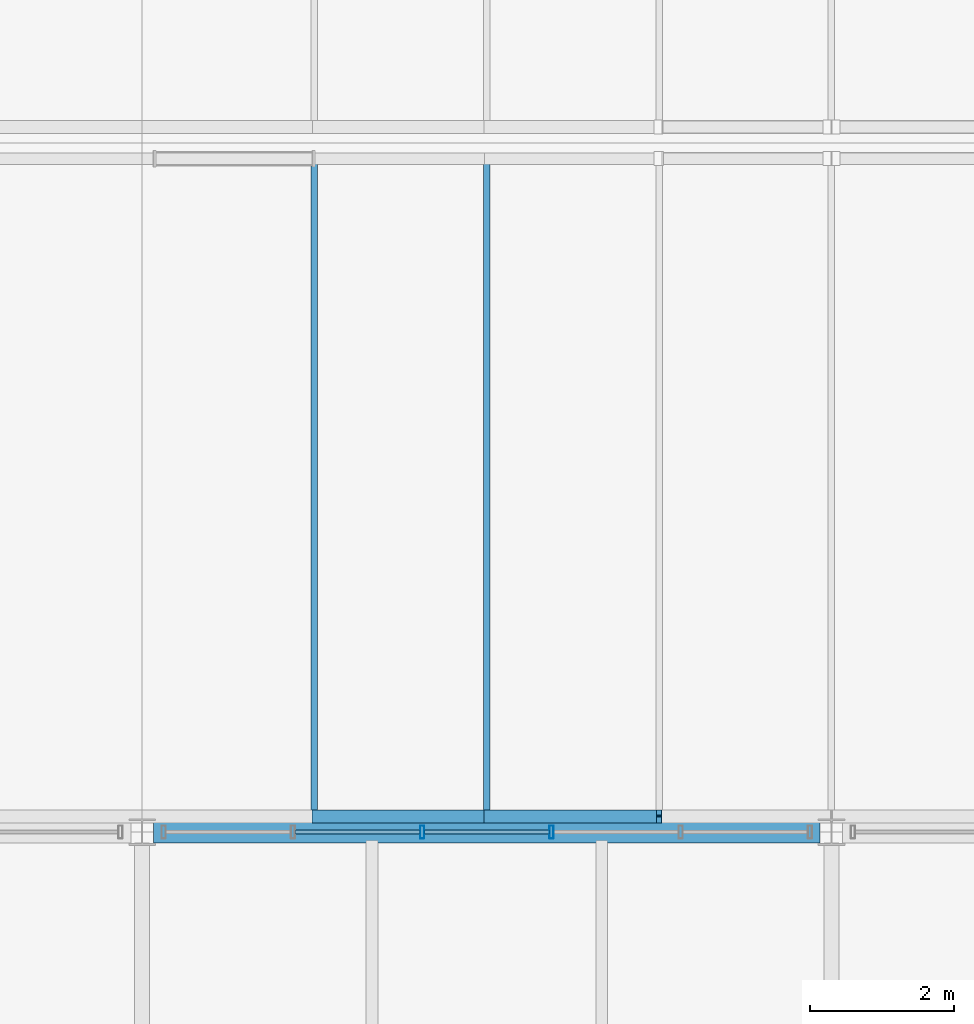
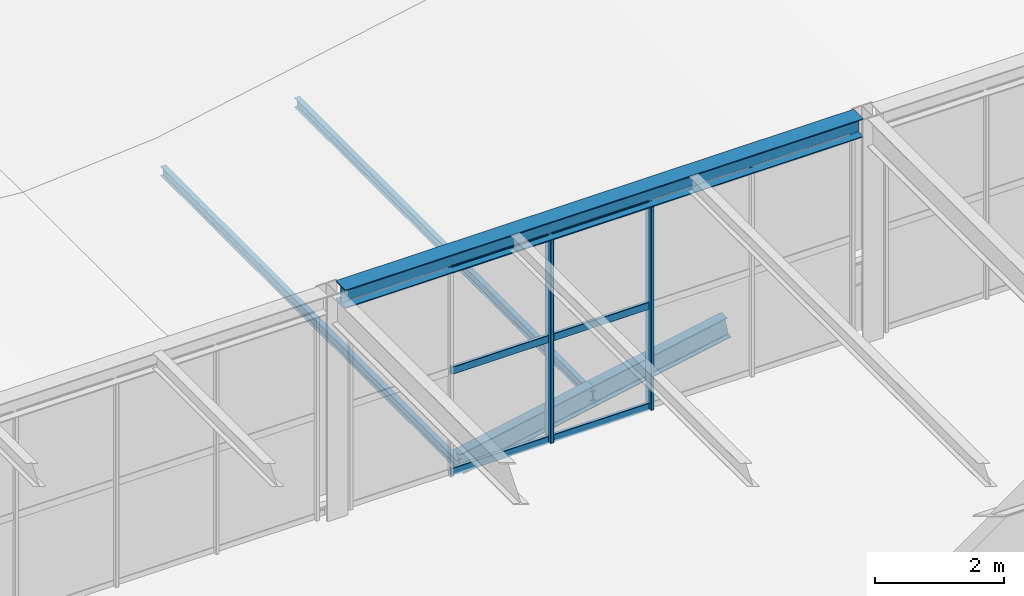
# One storey, part 92 of 170: 10 members, 3 beams, 1 element without a shape of its own.
"""IFC4 building model written with IfcOpenShell, lengths in metres."""

from ifc_helpers import new_model, si_unit, direction, frame, origin, origin_2d, place, context, subcontext, project, spatial, hollow_rectangle, i_section, extrude, material, material_profile, profile_set, type_object, element, aggregate, save


model = new_model("IFC4")

# Units and contexts
model_context = context("Model", 3, precision=1e-05, world=origin(), true_north=direction((0.0, 1.0)))
body_context = subcontext(model_context, "Body", "Model", "MODEL_VIEW")
ifc_project = project(units=[si_unit("LENGTHUNIT", "METRE"), si_unit("AREAUNIT", "SQUARE_METRE"), si_unit("VOLUMEUNIT", "CUBIC_METRE"), si_unit("PLANEANGLEUNIT", "RADIAN"), si_unit("MASSUNIT", "GRAM", prefix="KILO")], contexts=[model_context])

# Site, building, storey
site_placement = place(None, origin())
site = spatial("IfcSite", under=ifc_project, at=site_placement, CompositionType="ELEMENT")
building_placement = place(site_placement, origin())
building = spatial("IfcBuilding", under=site, at=building_placement, Name="Coralgate Yard Interchange", CompositionType="ELEMENT")
storey_placement = place(building_placement, frame((0.0, 0.0, 6.0)))
storey = spatial("IfcBuildingStorey", under=building, at=storey_placement, Name="L01", CompositionType="ELEMENT", Elevation=6.0)

# Beams
ifc_material_1 = material(Name="Structural steel S355J2", Category="steel")
ifc_material_profile_1 = material_profile(ifc_material_1, i_section(OverallWidth=0.300048828125, OverallDepth=0.35009765625, WebThickness=0.010009765625, FlangeThickness=0.017578125, FilletRadius=0.027099609375, at=origin_2d()), Name="HEA 360")
ifc_profile_set_1 = profile_set([ifc_material_profile_1], Name="Structural steel S355J2")
beam_type_1 = type_object("IfcBeamType", Name="BM-SP-1", PredefinedType="SPANDREL", material=ifc_profile_set_1)
beam_1_placement = place(storey_placement, frame((57.75634765625, 96.0, 4.074951171875), z_axis=(1.0, 0.0, 0.0), x_axis=(0.0, 1.0, 0.0)))
element("IfcBeam", 1, at=beam_1_placement, inside=storey, type_object=beam_type_1, Name="L01 primary grid beam Y10 X6-7", PredefinedType="SPANDREL", context=body_context, shape_type="SweptSolid", body=[
    extrude(i_section(OverallWidth=0.300048828125, OverallDepth=0.35009765625, WebThickness=0.010009765625, FlangeThickness=0.017578125, FilletRadius=0.027099609375, at=origin_2d()), origin(), (0.0, 0.0, 1.0), 9.287353515625),
])
ifc_material_2 = material(Name="Off-white architectural structural steel S355J2", Category="steel")
ifc_material_profile_2 = material_profile(ifc_material_2, i_section(OverallWidth=0.179931640625, OverallDepth=0.39990234375, WebThickness=0.008544921875, FlangeThickness=0.013427734375, FilletRadius=0.02099609375, at=origin_2d()), Name="IPE 400")
ifc_profile_set_2 = profile_set([ifc_material_profile_2], Name="Off-white architectural structural steel S355J2")
beam_type_2 = type_object("IfcBeamType", Name="BM-WR-1", PredefinedType="BEAM", material=ifc_profile_set_2)
beam_2_placement = place(storey_placement, frame((60.0, 96.219970703125, -0.009521484375), z_axis=(0.98216147419, 0.0, 0.188039460267), x_axis=(0.0, 1.0, 0.0)))
element("IfcBeam", 2, at=beam_2_placement, inside=storey, type_object=beam_type_2, Name="Wave-shell steel arch rib R1-W2-S2", PredefinedType="BEAM", context=body_context, shape_type="SweptSolid", body=[
    extrude(i_section(OverallWidth=0.179931640625, OverallDepth=0.39990234375, WebThickness=0.008544921875, FlangeThickness=0.013427734375, FilletRadius=0.02099609375, at=origin_2d()), origin(), (0.0, 0.0, 1.0), 2.443603515625),
])
beam_3_placement = place(storey_placement, frame((62.39990234375, 96.219970703125, 0.449951171875), z_axis=(0.982146552954, 0.0, 0.188117379637), x_axis=(0.0, 1.0, 0.0)))
element("IfcBeam", 3, at=beam_3_placement, inside=storey, type_object=beam_type_2, Name="Wave-shell steel arch rib R1-W2-S3", PredefinedType="BEAM", context=body_context, shape_type="SweptSolid", body=[
    extrude(i_section(OverallWidth=0.179931640625, OverallDepth=0.39990234375, WebThickness=0.008544921875, FlangeThickness=0.013427734375, FilletRadius=0.02099609375, at=origin_2d()), origin(), (0.0, 0.0, 1.0), 2.44384765625),
])

# Curtain wall, members
ifc_material_3 = material(Name="Anodised coastal aluminium and solar-control low-E glass", Category="aluminium")
curtain_wall_type = type_object("IfcCurtainWallType", Name="CW-CW-L01-B", PredefinedType="NOTDEFINED", material=ifc_material_3)
curtain_wall_placement = place(storey_placement, origin())
curtain_wall = element("IfcCurtainWall", 4, at=curtain_wall_placement, inside=storey, type_object=curtain_wall_type, Name="L01 unitised curtain wall CW-L01-N-06-09", PredefinedType="NOTDEFINED")
ifc_material_4 = material(Name="Anodised coastal aluminium 6063-T6", Category="aluminium")
ifc_material_profile_3 = material_profile(ifc_material_4, hollow_rectangle(XDim=0.06005859375, YDim=0.179931640625, WallThickness=0.00390625, InnerFilletRadius=0.00390625, OuterFilletRadius=0.008056640625, at=origin_2d()), Name="ALU 60x180x4")
ifc_profile_set_3 = profile_set([ifc_material_profile_3], Name="Anodised coastal aluminium 6063-T6")
member_type_1 = type_object("IfcMemberType", Name="MB-MUL-180", PredefinedType="MULLION", material=ifc_profile_set_3)
member_1_placement = place(storey_placement, frame((61.5, 96.0, 0.0), z_axis=(0.0, 0.0, 1.0), x_axis=(1.0, 0.0, 0.0)))
member_1 = element("IfcMember", 5, at=member_1_placement, type_object=member_type_1, Name="CW-L01-N-06-09 vertical mullion 3", PredefinedType="MULLION", context=body_context, shape_type="SweptSolid", body=[
    extrude(hollow_rectangle(XDim=0.06005859375, YDim=0.179931640625, WallThickness=0.00390625, InnerFilletRadius=0.00390625, OuterFilletRadius=0.008056640625, at=origin_2d()), origin(), (0.0, 0.0, 1.0), 3.89990234375),
])
member_2_placement = place(storey_placement, frame((63.300048828125, 96.0, 0.0), z_axis=(0.0, 0.0, 1.0), x_axis=(1.0, 0.0, 0.0)))
member_2 = element("IfcMember", 6, at=member_2_placement, type_object=member_type_1, Name="CW-L01-N-06-09 vertical mullion 4", PredefinedType="MULLION", context=body_context, shape_type="SweptSolid", body=[
    extrude(hollow_rectangle(XDim=0.06005859375, YDim=0.179931640625, WallThickness=0.00390625, InnerFilletRadius=0.00390625, OuterFilletRadius=0.008056640625, at=origin_2d()), origin(), (0.0, 0.0, 1.0), 3.89990234375),
])

# Members
ifc_material_profile_4 = material_profile(ifc_material_2, i_section(OverallWidth=0.091064453125, OverallDepth=0.179931640625, WebThickness=0.00537109375, FlangeThickness=0.008056640625, FilletRadius=0.009033203125, at=origin_2d()), Name="IPE 180")
ifc_profile_set_4 = profile_set([ifc_material_profile_4], Name="Off-white architectural structural steel S355J2")
member_type_2 = type_object("IfcMemberType", Name="MB-PR-2", PredefinedType="PURLIN", material=ifc_profile_set_4)
for number, where, z_axis, x_axis, name in (
    (7, (60.0, 96.199951171875, -0.049560546875), (0.0, 1.0, 0.0), (-1.0, 0.0, 0.0), "Wave-shell purlin R1-W2-2"),
    (8, (62.39990234375, 96.199951171875, 0.409912109375), (0.0, 1.0, 0.0), (-1.0, 0.0, 0.0), "Wave-shell purlin R1-W2-3"),
):
    element("IfcMember", number, at=place(storey_placement, frame(where, z_axis=z_axis, x_axis=x_axis)), inside=storey, type_object=member_type_2, Name=name, PredefinedType="PURLIN", context=body_context, shape_type="SweptSolid", body=[
        extrude(i_section(OverallWidth=0.091064453125, OverallDepth=0.179931640625, WebThickness=0.00537109375, FlangeThickness=0.008056640625, FilletRadius=0.009033203125, at=origin_2d()), origin(), (0.0, 0.0, 1.0), 9.199951171875),
    ])

# Member
ifc_material_profile_5 = material_profile(ifc_material_4, hollow_rectangle(XDim=0.06005859375, YDim=0.139892578125, WallThickness=0.00341796875, InnerFilletRadius=0.00341796875, OuterFilletRadius=0.007080078125, at=origin_2d()), Name="ALU 60x140x3.5")
ifc_profile_set_5 = profile_set([ifc_material_profile_5], Name="Anodised coastal aluminium 6063-T6")
member_type_3 = type_object("IfcMemberType", Name="MB-TRN-140", PredefinedType="USERDEFINED", material=ifc_profile_set_5)
member_3_placement = place(storey_placement, frame((59.72998046875, 96.0, 0.034912109375), z_axis=(1.0, 0.0, 0.0), x_axis=(0.0, 1.0, 0.0)))
member_3 = element("IfcMember", 9, at=member_3_placement, type_object=member_type_3, Name="CW-L01-N-06-09 horizontal transom 2-1", ObjectType="TRANSOM", PredefinedType="USERDEFINED", context=body_context, shape_type="SweptSolid", body=[
    extrude(hollow_rectangle(XDim=0.06005859375, YDim=0.139892578125, WallThickness=0.00341796875, InnerFilletRadius=0.00341796875, OuterFilletRadius=0.007080078125, at=origin_2d()), origin(), (0.0, 0.0, 1.0), 1.739990234375),
])

member_4_placement = place(storey_placement, frame((59.72998046875, 96.0, 1.949951171875), z_axis=(1.0, 0.0, 0.0), x_axis=(0.0, 1.0, 0.0)))
member_4 = element("IfcMember", 10, at=member_4_placement, type_object=member_type_3, Name="CW-L01-N-06-09 horizontal transom 2-2", ObjectType="TRANSOM", PredefinedType="USERDEFINED", context=body_context, shape_type="SweptSolid", body=[
    extrude(hollow_rectangle(XDim=0.06005859375, YDim=0.139892578125, WallThickness=0.00341796875, InnerFilletRadius=0.00341796875, OuterFilletRadius=0.007080078125, at=origin_2d()), origin(), (0.0, 0.0, 1.0), 1.739990234375),
])

member_5_placement = place(storey_placement, frame((59.72998046875, 96.0, 3.864990234375), z_axis=(1.0, 0.0, 0.0), x_axis=(0.0, 1.0, 0.0)))
member_5 = element("IfcMember", 11, at=member_5_placement, type_object=member_type_3, Name="CW-L01-N-06-09 horizontal transom 2-3", ObjectType="TRANSOM", PredefinedType="USERDEFINED", context=body_context, shape_type="SweptSolid", body=[
    extrude(hollow_rectangle(XDim=0.06005859375, YDim=0.139892578125, WallThickness=0.00341796875, InnerFilletRadius=0.00341796875, OuterFilletRadius=0.007080078125, at=origin_2d()), origin(), (0.0, 0.0, 1.0), 1.739990234375),
])

member_6_placement = place(storey_placement, frame((61.530029296875, 96.0, 0.034912109375), z_axis=(1.0, 0.0, 0.0), x_axis=(0.0, 1.0, 0.0)))
member_6 = element("IfcMember", 12, at=member_6_placement, type_object=member_type_3, Name="CW-L01-N-06-09 horizontal transom 3-1", ObjectType="TRANSOM", PredefinedType="USERDEFINED", context=body_context, shape_type="SweptSolid", body=[
    extrude(hollow_rectangle(XDim=0.06005859375, YDim=0.139892578125, WallThickness=0.00341796875, InnerFilletRadius=0.00341796875, OuterFilletRadius=0.007080078125, at=origin_2d()), origin(), (0.0, 0.0, 1.0), 1.739990234375),
])

member_7_placement = place(storey_placement, frame((61.530029296875, 96.0, 1.949951171875), z_axis=(1.0, 0.0, 0.0), x_axis=(0.0, 1.0, 0.0)))
member_7 = element("IfcMember", 13, at=member_7_placement, type_object=member_type_3, Name="CW-L01-N-06-09 horizontal transom 3-2", ObjectType="TRANSOM", PredefinedType="USERDEFINED", context=body_context, shape_type="SweptSolid", body=[
    extrude(hollow_rectangle(XDim=0.06005859375, YDim=0.139892578125, WallThickness=0.00341796875, InnerFilletRadius=0.00341796875, OuterFilletRadius=0.007080078125, at=origin_2d()), origin(), (0.0, 0.0, 1.0), 1.739990234375),
])

member_8_placement = place(storey_placement, frame((61.530029296875, 96.0, 3.864990234375), z_axis=(1.0, 0.0, 0.0), x_axis=(0.0, 1.0, 0.0)))
member_8 = element("IfcMember", 14, at=member_8_placement, type_object=member_type_3, Name="CW-L01-N-06-09 horizontal transom 3-3", ObjectType="TRANSOM", PredefinedType="USERDEFINED", context=body_context, shape_type="SweptSolid", body=[
    extrude(hollow_rectangle(XDim=0.06005859375, YDim=0.139892578125, WallThickness=0.00341796875, InnerFilletRadius=0.00341796875, OuterFilletRadius=0.007080078125, at=origin_2d()), origin(), (0.0, 0.0, 1.0), 1.739990234375),
])

aggregate(curtain_wall, [member_1, member_2, member_3, member_4, member_5, member_6, member_7, member_8])

save(model, "model.ifc")
